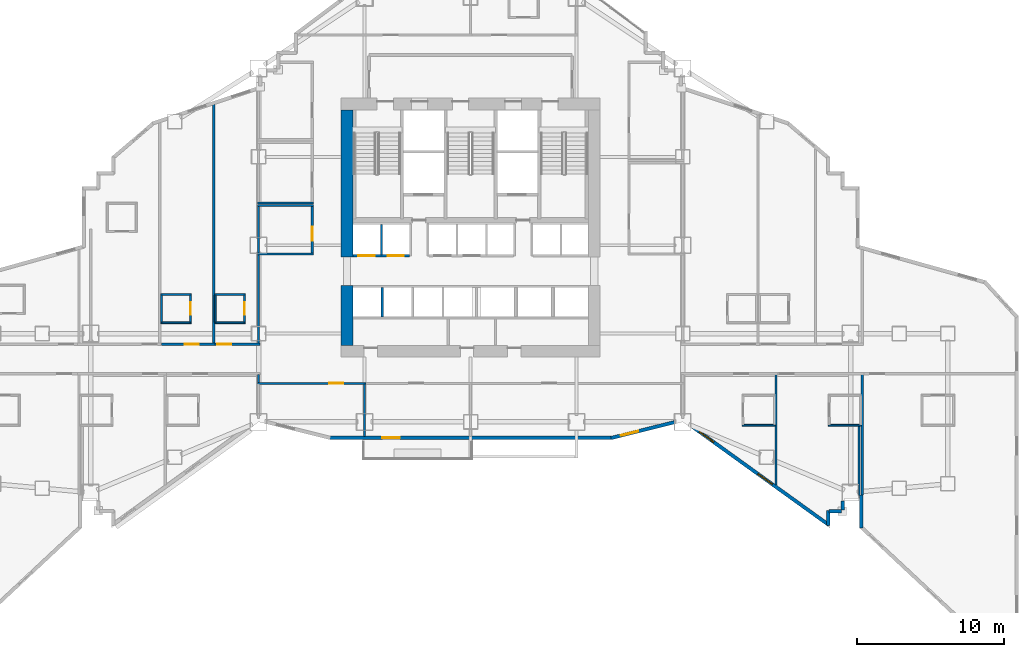
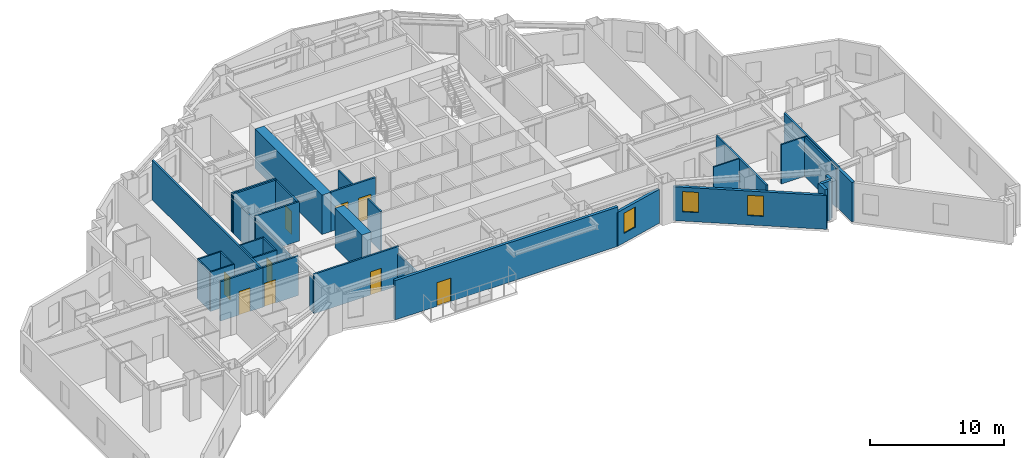
# One storey, part 8 of 15: 37 walls, 9 doors, 3 windows, 12 openings.
"""IFC4 building model written with IfcOpenShell, lengths in metres."""

from ifc_helpers import new_model, si_unit, direction, frame, frame_2d, origin, place, context, subcontext, project, spatial, rectangle, extrude, material, layer, layer_set, type_object, element, fill, save


model = new_model("IFC4")

# Units and contexts
model_context = context("Model", 3, precision=1e-05, world=origin(), true_north=direction((0.0, 1.0)))
body_context = subcontext(model_context, "Body", "Model", "MODEL_VIEW")
ifc_project = project(units=[si_unit("LENGTHUNIT", "METRE"), si_unit("AREAUNIT", "SQUARE_METRE"), si_unit("VOLUMEUNIT", "CUBIC_METRE"), si_unit("PLANEANGLEUNIT", "RADIAN"), si_unit("MASSUNIT", "GRAM", prefix="KILO")], contexts=[model_context])

# Site, building, storey
site_placement = place(None, origin())
site = spatial("IfcSite", under=ifc_project, at=site_placement, CompositionType="ELEMENT")
building_placement = place(site_placement, origin())
building = spatial("IfcBuilding", under=site, at=building_placement, Name="Haolan Belvedere Tower", CompositionType="ELEMENT")
storey_placement = place(building_placement, frame((0.0, 0.0, 66.60009765625)))
storey = spatial("IfcBuildingStorey", under=building, at=storey_placement, Name="L16", CompositionType="ELEMENT", Elevation=66.60009765625)

# Walls
ifc_material_1 = material(Name="Concrete C70/85", Category="concrete")
ifc_layer_1 = layer(ifc_material_1, 0.800048828125, Name="Concrete C70/85")
ifc_layer_set_1 = layer_set([ifc_layer_1], Name="Concrete C70/85")
wall_type_1 = type_object("IfcWallType", Name="WL-CORE-800", PredefinedType="SHEAR", material=ifc_layer_set_1)
wall_1_placement = place(storey_placement, frame((30.0, 26.800048828125, 0.0), z_axis=(0.0, 0.0, 1.0), x_axis=(0.0, 1.0, 0.0)))
element("IfcWall", 1, at=wall_1_placement, inside=storey, type_object=wall_type_1, Name="L16 central core shear wall WS", PredefinedType="SHEAR", context=body_context, shape_type="SweptSolid", body=[
    extrude(rectangle(XDim=4.050048828125, YDim=0.800048828125, at=frame_2d((2.02490234375, 0.0))), origin(), (0.0, 0.0, 1.0), 3.599853515625),
])
wall_2_placement = place(storey_placement, frame((30.0, 32.800048828125, 0.0), z_axis=(0.0, 0.0, 1.0), x_axis=(0.0, 1.0, 0.0)))
element("IfcWall", 2, at=wall_2_placement, inside=storey, type_object=wall_type_1, Name="L16 central core shear wall WN", PredefinedType="SHEAR", context=body_context, shape_type="SweptSolid", body=[
    extrude(rectangle(XDim=10.0, YDim=0.800048828125, at=frame_2d((5.0, 0.0))), origin(), (0.0, 0.0, 1.0), 3.599853515625),
])

# Wall, opening, door
ifc_material_2 = material(Name="Precast concrete C40/50", Category="concrete")
ifc_layer_2 = layer(ifc_material_2, 0.239990234375, Name="Precast concrete C40/50")
ifc_layer_set_2 = layer_set([ifc_layer_2], Name="Precast concrete C40/50")
wall_type_2 = type_object("IfcWallType", Name="WL-EXT-240", PredefinedType="SOLIDWALL", material=ifc_layer_set_2)
wall_3_placement = place(storey_placement, frame((28.759765625, 20.52001953125, 0.0), z_axis=(0.0, 0.0, 1.0), x_axis=(1.0, 0.0, 0.0)))
wall_3 = element("IfcWall", 3, at=wall_3_placement, inside=storey, type_object=wall_type_2, Name="L16 pale-metal exterior spandrel wall 13.1", PredefinedType="SOLIDWALL", context=body_context, shape_type="SweptSolid", body=[
    extrude(rectangle(XDim=19.280517578125, YDim=0.239990234375, at=frame_2d((9.64013671875, 0.0))), origin(), (0.0, 0.0, 1.0), 3.599853515625),
])
opening_1_placement = place(wall_3_placement, frame((4.840087890625, 0.0, 0.0), z_axis=(0.0, 0.0, 1.0), x_axis=(-1.0, 0.0, 0.0)))
opening_1 = element("IfcOpeningElement", 4, at=opening_1_placement, cuts=wall_3, Name="Opening BD-01", PredefinedType="OPENING", context=body_context, shape_type="SweptSolid", body=[
    extrude(rectangle(XDim=1.199951171875, YDim=2.14990234375, at=frame_2d((0.60009765625, 1.074951171875))), frame((0.0, 0.1298828125, 0.0), z_axis=(0.0, -1.0, 0.0), x_axis=(1.0, 0.0, 0.0)), (0.0, 0.0, 1.0), 0.260009765625),
])
ifc_material_3 = material(Name="Thermally broken pale-metal aluminium and Low-E glass", Category="aluminium")
door_type_1 = type_object("IfcDoorType", Name="DR-BAL-1200", OperationType="NOTDEFINED", PredefinedType="DOOR", material=ifc_material_3)
door_1_placement = place(opening_1_placement, origin())
door_1 = element("IfcDoor", 5, at=door_1_placement, inside=storey, type_object=door_type_1, Name="L16 tree-balcony access door 1", OperationType="SINGLE_SWING_RIGHT", OverallHeight=2.14990234375, OverallWidth=1.199951171875, PredefinedType="DOOR", context=body_context, shape_type="SweptSolid", body=[
    extrude(rectangle(XDim=1.199951171875, YDim=2.14990234375, at=frame_2d((0.60009765625, 1.074951171875))), frame((0.0, 0.02490234375, 0.0), z_axis=(0.0, -1.0, 0.0), x_axis=(1.0, 0.0, 0.0)), (0.0, 0.0, 1.0), 0.050048828125),
])
fill(opening_1, door_1)

# Wall, opening, window
wall_4_placement = place(storey_placement, frame((47.931884765625, 20.506591796875, 0.0), z_axis=(0.0, 0.0, 1.0), x_axis=(0.970145739396, 0.242522667667, 0.0)))
wall_4 = element("IfcWall", 6, at=wall_4_placement, inside=storey, type_object=wall_type_2, Name="L16 pale-metal exterior spandrel wall 14.1", PredefinedType="SOLIDWALL", context=body_context, shape_type="SweptSolid", body=[
    extrude(rectangle(XDim=4.433349609375, YDim=0.239990234375, at=frame_2d((2.216796875, 0.0))), origin(), (0.0, 0.0, 1.0), 3.096923828125),
])
opening_2_placement = place(wall_4_placement, frame((0.699951171875, 0.0, 0.85009765625)))
opening_2 = element("IfcOpeningElement", 7, at=opening_2_placement, cuts=wall_4, Name="Opening W-01", PredefinedType="OPENING", context=body_context, shape_type="SweptSolid", body=[
    extrude(rectangle(XDim=1.199951171875, YDim=1.85009765625, at=frame_2d((0.60009765625, 0.925048828125))), frame((0.0, 0.1298828125, 0.0), z_axis=(0.0, -1.0, 0.0), x_axis=(1.0, 0.0, 0.0)), (0.0, 0.0, 1.0), 0.260009765625),
])
ifc_material_4 = material(Name="Anodised aluminium 6063-T6 and Low-E glass", Category="aluminium")
window_type = type_object("IfcWindowType", Name="WN-DECO-Z1", PartitioningType="SINGLE_PANEL", PredefinedType="WINDOW", material=ifc_material_4)
window_1_placement = place(opening_2_placement, origin())
window_1 = element("IfcWindow", 8, at=window_1_placement, inside=storey, type_object=window_type, Name="L16 Art Deco chevron window 1", OverallHeight=1.85009765625, OverallWidth=1.199951171875, PartitioningType="SINGLE_PANEL", PredefinedType="WINDOW", context=body_context, shape_type="SweptSolid", body=[
    extrude(rectangle(XDim=1.199951171875, YDim=1.85009765625, at=frame_2d((0.60009765625, 0.925048828125))), frame((0.0, 0.030029296875, 0.0), z_axis=(0.0, -1.0, 0.0), x_axis=(1.0, 0.0, 0.0)), (0.0, 0.0, 1.0), 0.06005859375),
])
fill(opening_2, window_1)

# Wall, openings, windows
wall_5_placement = place(storey_placement, frame((53.366943359375, 21.339599609375, 0.0), z_axis=(0.0, 0.0, 1.0), x_axis=(0.811543176492, -0.58429245476, 0.0)))
wall_5 = element("IfcWall", 9, at=wall_5_placement, inside=storey, type_object=wall_type_2, Name="L16 pale-metal exterior spandrel wall 15.1", PredefinedType="SOLIDWALL", context=body_context, shape_type="SweptSolid", body=[
    extrude(rectangle(XDim=11.53076171875, YDim=0.239990234375, at=frame_2d((5.765380859375, 0.0))), origin(), (0.0, 0.0, 1.0), 3.096923828125),
])
opening_3_placement = place(wall_5_placement, frame((0.699951171875, 0.0, 0.85009765625)))
opening_3 = element("IfcOpeningElement", 10, at=opening_3_placement, cuts=wall_5, Name="Opening W-01", PredefinedType="OPENING", context=body_context, shape_type="SweptSolid", body=[
    extrude(rectangle(XDim=1.199951171875, YDim=1.85009765625, at=frame_2d((0.60009765625, 0.925048828125))), frame((0.0, 0.1298828125, 0.0), z_axis=(0.0, -1.0, 0.0), x_axis=(1.0, 0.0, 0.0)), (0.0, 0.0, 1.0), 0.260009765625),
])
opening_4_placement = place(wall_5_placement, frame((5.60302734375, 0.0, 0.85009765625)))
opening_4 = element("IfcOpeningElement", 11, at=opening_4_placement, cuts=wall_5, Name="Opening W-01", PredefinedType="OPENING", context=body_context, shape_type="SweptSolid", body=[
    extrude(rectangle(XDim=1.199951171875, YDim=1.85009765625, at=frame_2d((0.60009765625, 0.925048828125))), frame((0.0, 0.1298828125, 0.0), z_axis=(0.0, -1.0, 0.0), x_axis=(1.0, 0.0, 0.0)), (0.0, 0.0, 1.0), 0.260009765625),
])
window_2_placement = place(opening_3_placement, origin())
window_2 = element("IfcWindow", 12, at=window_2_placement, inside=storey, type_object=window_type, Name="L16 Art Deco chevron window 1", OverallHeight=1.85009765625, OverallWidth=1.199951171875, PartitioningType="SINGLE_PANEL", PredefinedType="WINDOW", context=body_context, shape_type="SweptSolid", body=[
    extrude(rectangle(XDim=1.199951171875, YDim=1.85009765625, at=frame_2d((0.60009765625, 0.925048828125))), frame((0.0, 0.030029296875, 0.0), z_axis=(0.0, -1.0, 0.0), x_axis=(1.0, 0.0, 0.0)), (0.0, 0.0, 1.0), 0.06005859375),
])
fill(opening_3, window_2)
window_3_placement = place(opening_4_placement, origin())
window_3 = element("IfcWindow", 13, at=window_3_placement, inside=storey, type_object=window_type, Name="L16 Art Deco chevron window 2", OverallHeight=1.85009765625, OverallWidth=1.199951171875, PartitioningType="SINGLE_PANEL", PredefinedType="WINDOW", context=body_context, shape_type="SweptSolid", body=[
    extrude(rectangle(XDim=1.199951171875, YDim=1.85009765625, at=frame_2d((0.60009765625, 0.925048828125))), frame((0.0, 0.030029296875, 0.0), z_axis=(0.0, -1.0, 0.0), x_axis=(1.0, 0.0, 0.0)), (0.0, 0.0, 1.0), 0.06005859375),
])
fill(opening_4, window_3)

# Walls
wall_6_placement = place(storey_placement, frame((62.679931640625, 14.579345703125, 0.0), z_axis=(0.0, 0.0, 1.0), x_axis=(0.0, 1.0, 0.0)))
element("IfcWall", 14, at=wall_6_placement, inside=storey, type_object=wall_type_2, Name="L16 pale-metal exterior spandrel wall 16.1", PredefinedType="SOLIDWALL", context=body_context, shape_type="SweptSolid", body=[
    extrude(rectangle(XDim=0.99560546875, YDim=0.239990234375, at=frame_2d((0.497802734375, 0.0))), origin(), (0.0, 0.0, 1.0), 3.599853515625),
])
wall_7_placement = place(storey_placement, frame((62.7451171875, 15.52001953125, 0.0), z_axis=(0.0, 0.0, 1.0), x_axis=(1.0, 0.0, 0.0)))
element("IfcWall", 15, at=wall_7_placement, inside=storey, type_object=wall_type_2, Name="L16 pale-metal exterior spandrel wall 17.1", PredefinedType="SOLIDWALL", context=body_context, shape_type="SweptSolid", body=[
    extrude(rectangle(XDim=0.849853515625, YDim=0.239990234375, at=frame_2d((0.4248046875, 0.0))), origin(), (0.0, 0.0, 1.0), 3.599853515625),
])
wall_8_placement = place(storey_placement, frame((63.679931640625, 15.60498046875, 0.0), z_axis=(0.0, 0.0, 1.0), x_axis=(0.0, 1.0, 0.0)))
element("IfcWall", 16, at=wall_8_placement, inside=storey, type_object=wall_type_2, Name="L16 pale-metal exterior spandrel wall 18.1", PredefinedType="SOLIDWALL", context=body_context, shape_type="SweptSolid", body=[
    extrude(rectangle(XDim=0.6279296875, YDim=0.239990234375, at=frame_2d((0.31396484375, 0.0))), origin(), (0.0, 0.0, 1.0), 3.599853515625),
])
wall_9_placement = place(storey_placement, frame((64.919921875, 16.639892578125, 0.0), z_axis=(0.0, 0.0, 1.0), x_axis=(0.0, -1.0, 0.0)))
element("IfcWall", 17, at=wall_9_placement, inside=storey, type_object=wall_type_2, Name="L16 pale-metal exterior spandrel wall 20.1", PredefinedType="SOLIDWALL", context=body_context, shape_type="SweptSolid", body=[
    extrude(rectangle(XDim=2.24267578125, YDim=0.239990234375, at=frame_2d((1.121337890625, 0.0))), origin(), (0.0, 0.0, 1.0), 3.599853515625),
])
ifc_material_5 = material(Name="Double gypsum acoustic stud partition", Category="masonry")
ifc_layer_3 = layer(ifc_material_5, 0.14990234375, Name="Double gypsum acoustic stud partition")
ifc_layer_set_3 = layer_set([ifc_layer_3], Name="Double gypsum acoustic stud partition")
wall_type_3 = type_object("IfcWallType", Name="WL-PART-150", PredefinedType="PARTITIONING", material=ifc_layer_set_3)
for number, where, z_axis, x_axis, name in (
    (18, (23.919921875, 36.300048828125, 0.0), (0.0, 0.0, 1.0), (1.0, 0.0, 0.0), "L16 interior partition IW-L16-AWC-N"),
    (19, (23.919921875, 33.0, 0.0), (0.0, 0.0, 1.0), (1.0, 0.0, 0.0), "L16 interior partition IW-L16-AWC-S"),
):
    element("IfcWall", number, at=place(storey_placement, frame(where, z_axis=z_axis, x_axis=x_axis)), inside=storey, type_object=wall_type_3, Name=name, PredefinedType="PARTITIONING", context=body_context, shape_type="SweptSolid", body=[
        extrude(rectangle(XDim=3.800048828125, YDim=0.14990234375, at=frame_2d((1.89990234375, 0.0))), origin(), (0.0, 0.0, 1.0), 3.599853515625),
    ])
wall_10_placement = place(storey_placement, frame((24.0, 33.06005859375, 0.0), z_axis=(0.0, 0.0, 1.0), x_axis=(0.0, 1.0, 0.0)))
element("IfcWall", 20, at=wall_10_placement, inside=storey, type_object=wall_type_3, Name="L16 interior partition IW-L16-AWC-W", PredefinedType="PARTITIONING", context=body_context, shape_type="SweptSolid", body=[
    extrude(rectangle(XDim=3.179931640625, YDim=0.14990234375, at=frame_2d((1.58984375, 0.0))), origin(), (0.0, 0.0, 1.0), 3.096923828125),
])

# Wall, opening, door
wall_11_placement = place(storey_placement, frame((27.639892578125, 33.06005859375, 0.0), z_axis=(0.0, 0.0, 1.0), x_axis=(0.0, 1.0, 0.0)))
wall_11 = element("IfcWall", 21, at=wall_11_placement, inside=storey, type_object=wall_type_3, Name="L16 interior partition IW-L16-AWC-E", PredefinedType="PARTITIONING", context=body_context, shape_type="SweptSolid", body=[
    extrude(rectangle(XDim=3.179931640625, YDim=0.14990234375, at=frame_2d((1.58984375, 0.0))), origin(), (0.0, 0.0, 1.0), 3.599853515625),
])
opening_5_placement = place(wall_11_placement, frame((1.81005859375, 0.0, 0.0), z_axis=(0.0, 0.0, 1.0), x_axis=(-1.0, 0.0, 0.0)))
opening_5 = element("IfcOpeningElement", 22, at=opening_5_placement, cuts=wall_11, Name="Opening ID-03", PredefinedType="OPENING", context=body_context, shape_type="SweptSolid", body=[
    extrude(rectangle(XDim=0.949951171875, YDim=2.1201171875, at=frame_2d((0.47509765625, 1.06005859375))), frame((0.0, 0.0849609375, 0.0), z_axis=(0.0, -1.0, 0.0), x_axis=(1.0, 0.0, 0.0)), (0.0, 0.0, 1.0), 0.169921875),
])
ifc_material_6 = material(Name="Painted solid-core timber", Category="wood")
door_type_2 = type_object("IfcDoorType", Name="DR-INT-950", OperationType="NOTDEFINED", PredefinedType="DOOR", material=ifc_material_6)
door_2_placement = place(opening_5_placement, origin())
door_2 = element("IfcDoor", 23, at=door_2_placement, inside=storey, type_object=door_type_2, Name="L16 door ID-L16-AWC", OperationType="SINGLE_SWING_LEFT", OverallHeight=2.1201171875, OverallWidth=0.949951171875, PredefinedType="DOOR", context=body_context, shape_type="SweptSolid", body=[
    extrude(rectangle(XDim=0.949951171875, YDim=2.1201171875, at=frame_2d((0.47509765625, 1.06005859375))), frame((0.0, 0.02490234375, 0.0), z_axis=(0.0, -1.0, 0.0), x_axis=(1.0, 0.0, 0.0)), (0.0, 0.0, 1.0), 0.050048828125),
])
fill(opening_5, door_2)

# Wall
wall_12_placement = place(storey_placement, frame((23.919921875, 36.4599609375, 0.0), z_axis=(0.0, 0.0, 1.0), x_axis=(1.0, 0.0, 0.0)))
element("IfcWall", 24, at=wall_12_placement, inside=storey, type_object=wall_type_3, Name="L16 interior partition IW-L16-PNT-S", PredefinedType="PARTITIONING", context=body_context, shape_type="SweptSolid", body=[
    extrude(rectangle(XDim=3.800048828125, YDim=0.14990234375, at=frame_2d((1.89990234375, 0.0))), origin(), (0.0, 0.0, 1.0), 3.599853515625),
])

# Wall, opening, door
wall_13_placement = place(storey_placement, frame((23.919921875, 24.219970703125, 0.0), z_axis=(0.0, 0.0, 1.0), x_axis=(1.0, 0.0, 0.0)))
wall_13 = element("IfcWall", 25, at=wall_13_placement, inside=storey, type_object=wall_type_3, Name="L16 interior partition IW-L16-KS1-N", PredefinedType="PARTITIONING", context=body_context, shape_type="SweptSolid", body=[
    extrude(rectangle(XDim=7.360107421875, YDim=0.14990234375, at=frame_2d((3.68017578125, 0.0))), origin(), (0.0, 0.0, 1.0), 3.599853515625),
])
opening_6_placement = place(wall_13_placement, frame((5.844970703125, 0.0, 0.0), z_axis=(0.0, 0.0, 1.0), x_axis=(-1.0, 0.0, 0.0)))
opening_6 = element("IfcOpeningElement", 26, at=opening_6_placement, cuts=wall_13, Name="Opening ID-03", PredefinedType="OPENING", context=body_context, shape_type="SweptSolid", body=[
    extrude(rectangle(XDim=0.949951171875, YDim=2.1201171875, at=frame_2d((0.47509765625, 1.06005859375))), frame((0.0, 0.0849609375, 0.0), z_axis=(0.0, -1.0, 0.0), x_axis=(1.0, 0.0, 0.0)), (0.0, 0.0, 1.0), 0.169921875),
])
door_3_placement = place(opening_6_placement, origin())
door_3 = element("IfcDoor", 27, at=door_3_placement, inside=storey, type_object=door_type_2, Name="L16 door ID-L16-KS1", OperationType="SINGLE_SWING_RIGHT", OverallHeight=2.1201171875, OverallWidth=0.949951171875, PredefinedType="DOOR", context=body_context, shape_type="SweptSolid", body=[
    extrude(rectangle(XDim=0.949951171875, YDim=2.1201171875, at=frame_2d((0.47509765625, 1.06005859375))), frame((0.0, 0.02490234375, 0.0), z_axis=(0.0, -1.0, 0.0), x_axis=(1.0, 0.0, 0.0)), (0.0, 0.0, 1.0), 0.050048828125),
])
fill(opening_6, door_3)

# Wall
wall_14_placement = place(storey_placement, frame((31.199951171875, 20.625, 0.0), z_axis=(0.0, 0.0, 1.0), x_axis=(0.0, 1.0, 0.0)))
element("IfcWall", 28, at=wall_14_placement, inside=storey, type_object=wall_type_3, Name="L16 interior partition IW-L16-KS1-E", PredefinedType="PARTITIONING", context=body_context, shape_type="SweptSolid", body=[
    extrude(rectangle(XDim=3.534912109375, YDim=0.14990234375, at=frame_2d((1.767578125, 0.0))), origin(), (0.0, 0.0, 1.0), 2.98486328125),
])

# Wall, opening, door
wall_15_placement = place(storey_placement, frame((17.39208984375, 26.8798828125, 0.0), z_axis=(0.0, 0.0, 1.0), x_axis=(1.0, 0.0, 0.0)))
wall_15 = element("IfcWall", 29, at=wall_15_placement, inside=storey, type_object=wall_type_3, Name="L16 interior partition IW-L16-T2N2-S", PredefinedType="PARTITIONING", context=body_context, shape_type="SweptSolid", body=[
    extrude(rectangle(XDim=3.657958984375, YDim=0.14990234375, at=frame_2d((1.8291015625, 0.0))), origin(), (0.0, 0.0, 1.0), 3.599853515625),
])
opening_7_placement = place(wall_15_placement, frame((1.6005859375, 0.0, 0.0)))
opening_7 = element("IfcOpeningElement", 30, at=opening_7_placement, cuts=wall_15, Name="Opening ID-02", PredefinedType="OPENING", context=body_context, shape_type="SweptSolid", body=[
    extrude(rectangle(XDim=0.949951171875, YDim=2.14990234375, at=frame_2d((0.47509765625, 1.074951171875))), frame((0.0, 0.0849609375, 0.0), z_axis=(0.0, -1.0, 0.0), x_axis=(1.0, 0.0, 0.0)), (0.0, 0.0, 1.0), 0.169921875),
])
ifc_material_7 = material(Name="Acoustic oak veneer fire-rated timber", Category="wood")
door_type_3 = type_object("IfcDoorType", Name="DR-GUEST-950", OperationType="NOTDEFINED", PredefinedType="DOOR", material=ifc_material_7)
door_4_placement = place(opening_7_placement, origin())
door_4 = element("IfcDoor", 31, at=door_4_placement, inside=storey, type_object=door_type_3, Name="L16 door ID-L16-T2N2-ENT", OperationType="SINGLE_SWING_LEFT", OverallHeight=2.14990234375, OverallWidth=0.949951171875, PredefinedType="DOOR", context=body_context, shape_type="SweptSolid", body=[
    extrude(rectangle(XDim=0.949951171875, YDim=2.14990234375, at=frame_2d((0.47509765625, 1.074951171875))), frame((0.0, 0.02490234375, 0.0), z_axis=(0.0, -1.0, 0.0), x_axis=(1.0, 0.0, 0.0)), (0.0, 0.0, 1.0), 0.050048828125),
])
fill(opening_7, door_4)

# Wall
wall_16_placement = place(storey_placement, frame((20.949951171875, 26.93994140625, 0.0), z_axis=(0.0, 0.0, 1.0), x_axis=(0.0, 1.0, 0.0)))
element("IfcWall", 32, at=wall_16_placement, inside=storey, type_object=wall_type_3, Name="L16 interior partition IW-L16-T2N2-E", PredefinedType="PARTITIONING", context=body_context, shape_type="SweptSolid", body=[
    extrude(rectangle(XDim=16.206298828125, YDim=0.14990234375, at=frame_2d((8.10302734375, 0.0))), origin(), (0.0, 0.0, 1.0), 3.599853515625),
])

# Wall, opening, door
wall_17_placement = place(storey_placement, frame((21.052001953125, 26.8798828125, 0.0), z_axis=(0.0, 0.0, 1.0), x_axis=(1.0, 0.0, 0.0)))
wall_17 = element("IfcWall", 33, at=wall_17_placement, inside=storey, type_object=wall_type_3, Name="L16 interior partition IW-L16-T2N3-S", PredefinedType="PARTITIONING", context=body_context, shape_type="SweptSolid", body=[
    extrude(rectangle(XDim=3.048095703125, YDim=0.14990234375, at=frame_2d((1.52392578125, 0.0))), origin(), (0.0, 0.0, 1.0), 3.599853515625),
])
opening_8_placement = place(wall_17_placement, frame((0.139892578125, 0.0, 0.0)))
opening_8 = element("IfcOpeningElement", 34, at=opening_8_placement, cuts=wall_17, Name="Opening ID-02", PredefinedType="OPENING", context=body_context, shape_type="SweptSolid", body=[
    extrude(rectangle(XDim=0.949951171875, YDim=2.14990234375, at=frame_2d((0.47509765625, 1.074951171875))), frame((0.0, 0.0849609375, 0.0), z_axis=(0.0, -1.0, 0.0), x_axis=(1.0, 0.0, 0.0)), (0.0, 0.0, 1.0), 0.169921875),
])
door_5_placement = place(opening_8_placement, origin())
door_5 = element("IfcDoor", 35, at=door_5_placement, inside=storey, type_object=door_type_3, Name="L16 door ID-L16-T2N3-ENT", OperationType="SINGLE_SWING_RIGHT", OverallHeight=2.14990234375, OverallWidth=0.949951171875, PredefinedType="DOOR", context=body_context, shape_type="SweptSolid", body=[
    extrude(rectangle(XDim=0.949951171875, YDim=2.14990234375, at=frame_2d((0.47509765625, 1.074951171875))), frame((0.0, 0.02490234375, 0.0), z_axis=(0.0, -1.0, 0.0), x_axis=(1.0, 0.0, 0.0)), (0.0, 0.0, 1.0), 0.050048828125),
])
fill(opening_8, door_5)

# Walls
wall_18_placement = place(storey_placement, frame((24.0, 26.93994140625, 0.0), z_axis=(0.0, 0.0, 1.0), x_axis=(0.0, 1.0, 0.0)))
element("IfcWall", 36, at=wall_18_placement, inside=storey, type_object=wall_type_3, Name="L16 interior partition IW-L16-T2N3-E", PredefinedType="PARTITIONING", context=body_context, shape_type="SweptSolid", body=[
    extrude(rectangle(XDim=6.0, YDim=0.14990234375, at=frame_2d((3.0, 0.0))), origin(), (0.0, 0.0, 1.0), 3.096923828125),
])
wall_19_placement = place(storey_placement, frame((24.0, 24.280029296875, 0.0), z_axis=(0.0, 0.0, 1.0), x_axis=(0.0, 1.0, 0.0)))
element("IfcWall", 37, at=wall_19_placement, inside=storey, type_object=wall_type_3, Name="L16 interior partition IW-L16-T2S2-E", PredefinedType="PARTITIONING", context=body_context, shape_type="SweptSolid", body=[
    extrude(rectangle(XDim=0.530029296875, YDim=0.14990234375, at=frame_2d((0.26513671875, 0.0))), origin(), (0.0, 0.0, 1.0), 3.096923828125),
])
wall_20_placement = place(storey_placement, frame((59.139892578125, 17.3125, 0.0), z_axis=(0.0, 0.0, 1.0), x_axis=(0.0, 1.0, 0.0)))
element("IfcWall", 38, at=wall_20_placement, inside=storey, type_object=wall_type_3, Name="L16 interior partition IW-L16-T4S1-E", PredefinedType="PARTITIONING", context=body_context, shape_type="SweptSolid", body=[
    extrude(rectangle(XDim=7.49755859375, YDim=0.14990234375, at=frame_2d((3.748779296875, 0.0))), origin(), (0.0, 0.0, 1.0), 3.599853515625),
])
wall_21_placement = place(storey_placement, frame((65.0, 16.64208984375, 0.0), z_axis=(0.0, 0.0, 1.0), x_axis=(0.0, 1.0, 0.0)))
element("IfcWall", 39, at=wall_21_placement, inside=storey, type_object=wall_type_3, Name="L16 interior partition IW-L16-T4S2-E", PredefinedType="PARTITIONING", context=body_context, shape_type="SweptSolid", body=[
    extrude(rectangle(XDim=8.16796875, YDim=0.14990234375, at=frame_2d((4.083984375, 0.0))), origin(), (0.0, 0.0, 1.0), 3.599853515625),
])
wall_22_placement = place(storey_placement, frame((64.780029296875, 16.612060546875, 0.0), z_axis=(0.0, 0.0, 1.0), x_axis=(0.0, 1.0, 0.0)))
element("IfcWall", 40, at=wall_22_placement, inside=storey, type_object=wall_type_3, Name="L16 interior partition IW-L16-T5S1-W", PredefinedType="PARTITIONING", context=body_context, shape_type="SweptSolid", body=[
    extrude(rectangle(XDim=4.712890625, YDim=0.14990234375, at=frame_2d((2.3564453125, 0.0))), origin(), (0.0, 0.0, 1.0), 3.599853515625),
])

# Wall, openings, doors
ifc_material_8 = material(Name="Gypsum fire shaftwall assembly", Category="masonry")
ifc_layer_4 = layer(ifc_material_8, 0.1650390625, Name="Gypsum fire shaftwall assembly")
ifc_layer_set_4 = layer_set([ifc_layer_4], Name="Gypsum fire shaftwall assembly")
wall_type_4 = type_object("IfcWallType", Name="WL-SHAFT-160", PredefinedType="SOLIDWALL", material=ifc_layer_set_4)
wall_23_placement = place(storey_placement, frame((30.39990234375, 32.8798828125, 0.0), z_axis=(0.0, 0.0, 1.0), x_axis=(1.0, 0.0, 0.0)))
wall_23 = element("IfcWall", 41, at=wall_23_placement, inside=storey, type_object=wall_type_4, Name="L16 interior partition IW-L16-ROW-PN1", PredefinedType="SOLIDWALL", context=body_context, shape_type="SweptSolid", body=[
    extrude(rectangle(XDim=3.85009765625, YDim=0.159912109375, at=frame_2d((1.925048828125, 0.0))), origin(), (0.0, 0.0, 1.0), 3.599853515625),
])
opening_9_placement = place(wall_23_placement, frame((1.47998046875, 0.0, 0.0), z_axis=(0.0, 0.0, 1.0), x_axis=(-1.0, 0.0, 0.0)))
opening_9 = element("IfcOpeningElement", 42, at=opening_9_placement, cuts=wall_23, Name="Opening LD-01", PredefinedType="OPENING", context=body_context, shape_type="SweptSolid", body=[
    extrude(rectangle(XDim=1.10009765625, YDim=2.199951171875, at=frame_2d((0.550048828125, 1.10009765625))), frame((0.0, 0.08984375, 0.0), z_axis=(0.0, -1.0, 0.0), x_axis=(1.0, 0.0, 0.0)), (0.0, 0.0, 1.0), 0.179931640625),
])
opening_10_placement = place(wall_23_placement, frame((3.47021484375, 0.0, 0.0), z_axis=(0.0, 0.0, 1.0), x_axis=(-1.0, 0.0, 0.0)))
opening_10 = element("IfcOpeningElement", 43, at=opening_10_placement, cuts=wall_23, Name="Opening LD-01", PredefinedType="OPENING", context=body_context, shape_type="SweptSolid", body=[
    extrude(rectangle(XDim=1.10009765625, YDim=2.199951171875, at=frame_2d((0.550048828125, 1.10009765625))), frame((0.0, 0.08984375, 0.0), z_axis=(0.0, -1.0, 0.0), x_axis=(1.0, 0.0, 0.0)), (0.0, 0.0, 1.0), 0.179931640625),
])
ifc_material_9 = material(Name="Brushed champagne stainless steel 316L", Category="steel")
door_type_4 = type_object("IfcDoorType", Name="DR-LIFT-1100", OperationType="SLIDING_TO_LEFT", PredefinedType="DOOR", material=ifc_material_9)
door_6_placement = place(opening_9_placement, origin())
door_6 = element("IfcDoor", 44, at=door_6_placement, inside=storey, type_object=door_type_4, Name="L16 door ID-L16-LD-PL1", OperationType="SLIDING_TO_LEFT", OverallHeight=2.199951171875, OverallWidth=1.10009765625, PredefinedType="DOOR", context=body_context, shape_type="SweptSolid", body=[
    extrude(rectangle(XDim=1.10009765625, YDim=2.199951171875, at=frame_2d((0.550048828125, 1.10009765625))), frame((0.0, 0.02490234375, 0.0), z_axis=(0.0, -1.0, 0.0), x_axis=(1.0, 0.0, 0.0)), (0.0, 0.0, 1.0), 0.050048828125),
])
fill(opening_9, door_6)
door_7_placement = place(opening_10_placement, origin())
door_7 = element("IfcDoor", 45, at=door_7_placement, inside=storey, type_object=door_type_4, Name="L16 door ID-L16-LD-PL2", OperationType="SLIDING_TO_LEFT", OverallHeight=2.199951171875, OverallWidth=1.10009765625, PredefinedType="DOOR", context=body_context, shape_type="SweptSolid", body=[
    extrude(rectangle(XDim=1.10009765625, YDim=2.199951171875, at=frame_2d((0.550048828125, 1.10009765625))), frame((0.0, 0.02490234375, 0.0), z_axis=(0.0, -1.0, 0.0), x_axis=(1.0, 0.0, 0.0)), (0.0, 0.0, 1.0), 0.050048828125),
])
fill(opening_10, door_7)

# Walls
wall_24_placement = place(storey_placement, frame((32.340087890625, 32.949951171875, 0.0), z_axis=(0.0, 0.0, 1.0), x_axis=(0.0, 1.0, 0.0)))
element("IfcWall", 46, at=wall_24_placement, inside=storey, type_object=wall_type_4, Name="L16 interior partition IW-L16-DIV-PL1", PredefinedType="SOLIDWALL", context=body_context, shape_type="SweptSolid", body=[
    extrude(rectangle(XDim=2.050048828125, YDim=0.14990234375, at=frame_2d((1.02490234375, 0.0))), origin(), (0.0, 0.0, 1.0), 3.599853515625),
])
wall_25_placement = place(storey_placement, frame((32.39990234375, 28.735107421875, 0.0), z_axis=(0.0, 0.0, 1.0), x_axis=(0.0, 1.0, 0.0)))
element("IfcWall", 47, at=wall_25_placement, inside=storey, type_object=wall_type_4, Name="L16 interior partition IW-L16-DIV-PM1", PredefinedType="SOLIDWALL", context=body_context, shape_type="SweptSolid", body=[
    extrude(rectangle(XDim=1.98486328125, YDim=0.14990234375, at=frame_2d((0.992431640625, 0.0))), origin(), (0.0, 0.0, 1.0), 3.599853515625),
])
ifc_material_10 = material(Name="Moisture-resistant gypsum tile partition", Category="masonry")
ifc_layer_5 = layer(ifc_material_10, 0.1201171875, Name="Moisture-resistant gypsum tile partition")
ifc_layer_set_5 = layer_set([ifc_layer_5], Name="Moisture-resistant gypsum tile partition")
wall_type_5 = type_object("IfcWallType", Name="WL-WET-120", PredefinedType="PARTITIONING", material=ifc_layer_set_5)
for number, where, z_axis, x_axis, name in (
    (48, (17.35009765625, 30.25, 0.0), (0.0, 0.0, 1.0), (1.0, 0.0, 0.0), "L16 interior partition IW-L16-T2N2-BN"),
    (49, (17.35009765625, 28.330078125, 0.0), (0.0, 0.0, 1.0), (1.0, 0.0, 0.0), "L16 interior partition IW-L16-T2N2-BS"),
):
    element("IfcWall", number, at=place(storey_placement, frame(where, z_axis=z_axis, x_axis=x_axis)), inside=storey, type_object=wall_type_5, Name=name, PredefinedType="PARTITIONING", context=body_context, shape_type="SweptSolid", body=[
        extrude(rectangle(XDim=2.093994140625, YDim=0.1201171875, at=frame_2d((1.046875, 0.0))), origin(), (0.0, 0.0, 1.0), 3.599853515625),
    ])
wall_26_placement = place(storey_placement, frame((17.404296875, 28.375, 0.0), z_axis=(0.0, 0.0, 1.0), x_axis=(0.0, 1.0, 0.0)))
element("IfcWall", 50, at=wall_26_placement, inside=storey, type_object=wall_type_5, Name="L16 interior partition IW-L16-T2N2-BW", PredefinedType="PARTITIONING", context=body_context, shape_type="SweptSolid", body=[
    extrude(rectangle(XDim=1.830078125, YDim=0.1201171875, at=frame_2d((0.9150390625, 0.0))), origin(), (0.0, 0.0, 1.0), 3.599853515625),
])

# Wall, opening, door
wall_27_placement = place(storey_placement, frame((19.38427734375, 28.375, 0.0), z_axis=(0.0, 0.0, 1.0), x_axis=(0.0, 1.0, 0.0)))
wall_27 = element("IfcWall", 51, at=wall_27_placement, inside=storey, type_object=wall_type_5, Name="L16 interior partition IW-L16-T2N2-BE", PredefinedType="PARTITIONING", context=body_context, shape_type="SweptSolid", body=[
    extrude(rectangle(XDim=1.830078125, YDim=0.1201171875, at=frame_2d((0.9150390625, 0.0))), origin(), (0.0, 0.0, 1.0), 3.599853515625),
])
opening_11_placement = place(wall_27_placement, frame((0.489990234375, 0.0, 0.0)))
opening_11 = element("IfcOpeningElement", 52, at=opening_11_placement, cuts=wall_27, Name="Opening ID-05", PredefinedType="OPENING", context=body_context, shape_type="SweptSolid", body=[
    extrude(rectangle(XDim=0.85009765625, YDim=2.10009765625, at=frame_2d((0.425048828125, 1.050048828125))), frame((0.0, 0.070068359375, 0.0), z_axis=(0.0, -1.0, 0.0), x_axis=(1.0, 0.0, 0.0)), (0.0, 0.0, 1.0), 0.14013671875),
])
ifc_material_11 = material(Name="Moisture-resistant lacquered timber", Category="wood")
door_type_5 = type_object("IfcDoorType", Name="DR-BATH-850", OperationType="NOTDEFINED", PredefinedType="DOOR", material=ifc_material_11)
door_8_placement = place(opening_11_placement, origin())
door_8 = element("IfcDoor", 53, at=door_8_placement, inside=storey, type_object=door_type_5, Name="L16 door ID-L16-T2N2-BATH", OperationType="SINGLE_SWING_RIGHT", OverallHeight=2.10009765625, OverallWidth=0.85009765625, PredefinedType="DOOR", context=body_context, shape_type="SweptSolid", body=[
    extrude(rectangle(XDim=0.85009765625, YDim=2.10009765625, at=frame_2d((0.425048828125, 1.050048828125))), frame((0.0, 0.02490234375, 0.0), z_axis=(0.0, -1.0, 0.0), x_axis=(1.0, 0.0, 0.0)), (0.0, 0.0, 1.0), 0.050048828125),
])
fill(opening_11, door_8)

# Walls
for number, where, z_axis, x_axis, name in (
    (54, (21.010009765625, 30.25, 0.0), (0.0, 0.0, 1.0), (1.0, 0.0, 0.0), "L16 interior partition IW-L16-T2N3-BN"),
    (55, (21.010009765625, 28.330078125, 0.0), (0.0, 0.0, 1.0), (1.0, 0.0, 0.0), "L16 interior partition IW-L16-T2N3-BS"),
):
    element("IfcWall", number, at=place(storey_placement, frame(where, z_axis=z_axis, x_axis=x_axis)), inside=storey, type_object=wall_type_5, Name=name, PredefinedType="PARTITIONING", context=body_context, shape_type="SweptSolid", body=[
        extrude(rectangle(XDim=2.09423828125, YDim=0.1201171875, at=frame_2d((1.047119140625, 0.0))), origin(), (0.0, 0.0, 1.0), 3.599853515625),
    ])
wall_28_placement = place(storey_placement, frame((21.064208984375, 28.375, 0.0), z_axis=(0.0, 0.0, 1.0), x_axis=(0.0, 1.0, 0.0)))
element("IfcWall", 56, at=wall_28_placement, inside=storey, type_object=wall_type_5, Name="L16 interior partition IW-L16-T2N3-BW", PredefinedType="PARTITIONING", context=body_context, shape_type="SweptSolid", body=[
    extrude(rectangle(XDim=1.830078125, YDim=0.1201171875, at=frame_2d((0.9150390625, 0.0))), origin(), (0.0, 0.0, 1.0), 3.599853515625),
])

# Wall, opening, door
wall_29_placement = place(storey_placement, frame((23.044189453125, 28.375, 0.0), z_axis=(0.0, 0.0, 1.0), x_axis=(0.0, 1.0, 0.0)))
wall_29 = element("IfcWall", 57, at=wall_29_placement, inside=storey, type_object=wall_type_5, Name="L16 interior partition IW-L16-T2N3-BE", PredefinedType="PARTITIONING", context=body_context, shape_type="SweptSolid", body=[
    extrude(rectangle(XDim=1.830078125, YDim=0.1201171875, at=frame_2d((0.9150390625, 0.0))), origin(), (0.0, 0.0, 1.0), 3.599853515625),
])
opening_12_placement = place(wall_29_placement, frame((0.489990234375, 0.0, 0.0)))
opening_12 = element("IfcOpeningElement", 58, at=opening_12_placement, cuts=wall_29, Name="Opening ID-05", PredefinedType="OPENING", context=body_context, shape_type="SweptSolid", body=[
    extrude(rectangle(XDim=0.85009765625, YDim=2.10009765625, at=frame_2d((0.425048828125, 1.050048828125))), frame((0.0, 0.070068359375, 0.0), z_axis=(0.0, -1.0, 0.0), x_axis=(1.0, 0.0, 0.0)), (0.0, 0.0, 1.0), 0.14013671875),
])
door_9_placement = place(opening_12_placement, origin())
door_9 = element("IfcDoor", 59, at=door_9_placement, inside=storey, type_object=door_type_5, Name="L16 door ID-L16-T2N3-BATH", OperationType="SINGLE_SWING_LEFT", OverallHeight=2.10009765625, OverallWidth=0.85009765625, PredefinedType="DOOR", context=body_context, shape_type="SweptSolid", body=[
    extrude(rectangle(XDim=0.85009765625, YDim=2.10009765625, at=frame_2d((0.425048828125, 1.050048828125))), frame((0.0, 0.02490234375, 0.0), z_axis=(0.0, -1.0, 0.0), x_axis=(1.0, 0.0, 0.0)), (0.0, 0.0, 1.0), 0.050048828125),
])
fill(opening_12, door_9)

# Walls
for number, where, z_axis, x_axis, name in (
    (60, (56.830078125, 21.3701171875, 0.0), (0.0, 0.0, 1.0), (1.0, 0.0, 0.0), "L16 interior partition IW-L16-T4S1-BS"),
    (61, (62.68994140625, 21.3701171875, 0.0), (0.0, 0.0, 1.0), (1.0, 0.0, 0.0), "L16 interior partition IW-L16-T4S2-BS"),
):
    element("IfcWall", number, at=place(storey_placement, frame(where, z_axis=z_axis, x_axis=x_axis)), inside=storey, type_object=wall_type_5, Name=name, PredefinedType="PARTITIONING", context=body_context, shape_type="SweptSolid", body=[
        extrude(rectangle(XDim=2.25, YDim=0.1201171875, at=frame_2d((1.125, 0.0))), origin(), (0.0, 0.0, 1.0), 3.599853515625),
    ])

save(model, "model.ifc")
